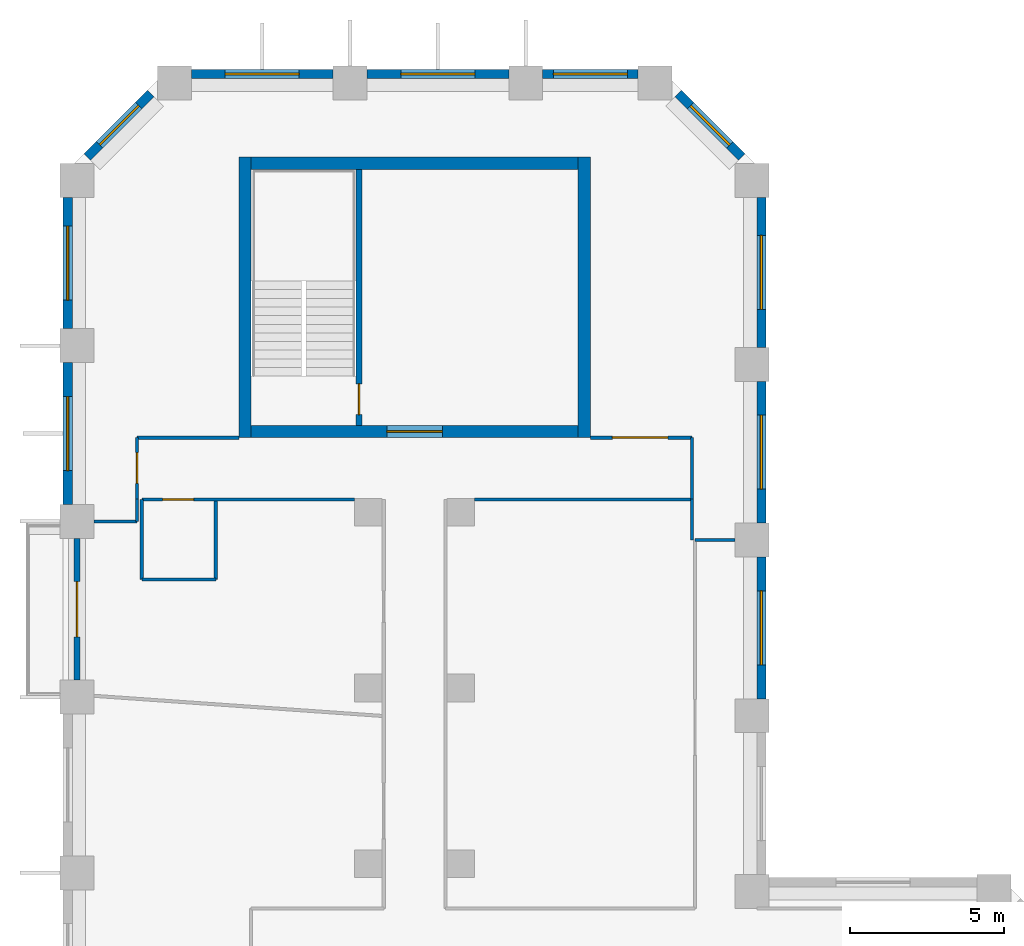
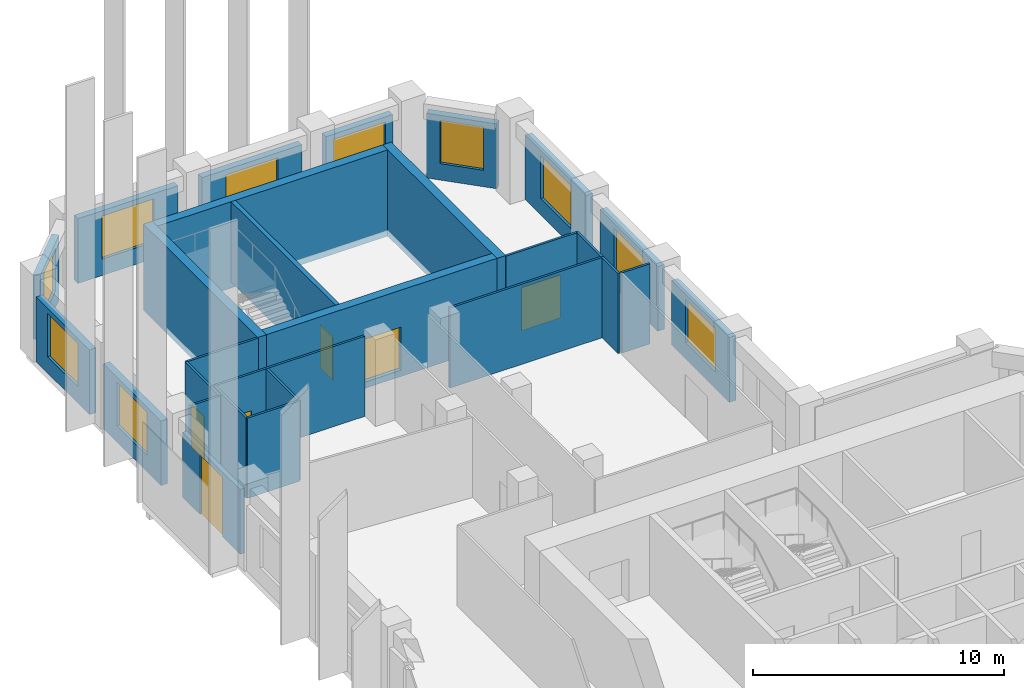
# One storey, part 8 of 10: 29 walls, 10 windows, 6 doors, 16 openings.
"""IFC4 building model written with IfcOpenShell, lengths in metres."""

from ifc_helpers import new_model, si_unit, direction, frame, frame_2d, origin, place, context, subcontext, project, spatial, rectangle, extrude, material, layer, layer_set, type_object, element, fill, save


model = new_model("IFC4")

# Units and contexts
model_context = context("Model", 3, precision=1e-05, world=origin(), true_north=direction((0.0, 1.0)))
body_context = subcontext(model_context, "Body", "Model", "MODEL_VIEW")
ifc_project = project(units=[si_unit("LENGTHUNIT", "METRE"), si_unit("AREAUNIT", "SQUARE_METRE"), si_unit("VOLUMEUNIT", "CUBIC_METRE"), si_unit("PLANEANGLEUNIT", "RADIAN"), si_unit("MASSUNIT", "GRAM", prefix="KILO")], contexts=[model_context])

# Site, building, storey
site_placement = place(None, origin())
site = spatial("IfcSite", under=ifc_project, at=site_placement, CompositionType="ELEMENT")
building_placement = place(site_placement, origin())
building = spatial("IfcBuilding", under=site, at=building_placement, Name="Meshkara Civic Tower", CompositionType="ELEMENT")
storey_placement = place(building_placement, frame((0.0, 0.0, 225.60009765625)))
storey = spatial("IfcBuildingStorey", under=building, at=storey_placement, Name="L51", CompositionType="ELEMENT", Elevation=225.60009765625)

# Wall, opening, door
ifc_material_1 = material(Name="Corridor wall 100")
ifc_layer_1 = layer(ifc_material_1, 0.10009765625)
ifc_layer_set_1 = layer_set([ifc_layer_1], Name="Corridor wall 100")
wall_type_1 = type_object("IfcWallType", Name="Corridor wall 100", PredefinedType="PARTITIONING", material=ifc_layer_set_1)
wall_1_placement = place(storey_placement, frame((2.39990234375, 54.169921875, 0.0), z_axis=(0.0, 0.0, 1.0), x_axis=(0.0, -1.0, 0.0)))
wall_1 = element("IfcWall", 1, at=wall_1_placement, inside=storey, type_object=wall_type_1, Name="L51-W001", PredefinedType="PARTITIONING", context=body_context, shape_type="SweptSolid", body=[
    extrude(rectangle(XDim=2.0, YDim=0.10009765625, at=frame_2d((1.0, 0.0))), origin(), (0.0, 0.0, 1.0), 3.89990234375),
])
opening_1_placement = place(wall_1_placement, frame((0.47998046875, 0.0, 0.0)))
opening_1 = element("IfcOpeningElement", 2, at=opening_1_placement, cuts=wall_1, Name="Opening L51-D016", PredefinedType="OPENING", context=body_context, shape_type="SweptSolid", body=[
    extrude(rectangle(XDim=1.0, YDim=2.10009765625, at=frame_2d((0.5, 1.050048828125))), frame((0.0, 0.06005859375, 0.0), z_axis=(0.0, -1.0, 0.0), x_axis=(1.0, 0.0, 0.0)), (0.0, 0.0, 1.0), 0.1201171875),
])
ifc_material_2 = material(Name="Door 1000 x 2100")
door_type_1 = type_object("IfcDoorType", Name="Door 1000 x 2100", OperationType="SINGLE_SWING_LEFT", PredefinedType="DOOR", material=ifc_material_2)
door_1_placement = place(opening_1_placement, origin())
door_1 = element("IfcDoor", 3, at=door_1_placement, inside=storey, type_object=door_type_1, Name="L51-D016", OperationType="SINGLE_SWING_RIGHT", OverallHeight=2.10009765625, OverallWidth=1.0, PredefinedType="DOOR", context=body_context, shape_type="SweptSolid", body=[
    extrude(rectangle(XDim=1.0, YDim=2.10009765625, at=frame_2d((0.5, 1.050048828125))), frame((0.0, 0.02490234375, 0.0), z_axis=(0.0, -1.0, 0.0), x_axis=(1.0, 0.0, 0.0)), (0.0, 0.0, 1.0), 0.050048828125),
])
fill(opening_1, door_1)

wall_2_placement = place(storey_placement, frame((2.550048828125, 52.169921875, 0.0), z_axis=(0.0, 0.0, 1.0), x_axis=(1.0, 0.0, 0.0)))
wall_2 = element("IfcWall", 4, at=wall_2_placement, inside=storey, type_object=wall_type_1, Name="L51-W002", PredefinedType="PARTITIONING", context=body_context, shape_type="SweptSolid", body=[
    extrude(rectangle(XDim=6.89990234375, YDim=0.10009765625, at=frame_2d((3.449951171875, 0.0))), origin(), (0.0, 0.0, 1.0), 3.89990234375),
])
opening_2_placement = place(wall_2_placement, frame((0.679931640625, 0.0, 0.0)))
opening_2 = element("IfcOpeningElement", 5, at=opening_2_placement, cuts=wall_2, Name="Opening L51-D017", PredefinedType="OPENING", context=body_context, shape_type="SweptSolid", body=[
    extrude(rectangle(XDim=1.0, YDim=2.10009765625, at=frame_2d((0.5, 1.050048828125))), frame((0.0, 0.06005859375, 0.0), z_axis=(0.0, -1.0, 0.0), x_axis=(1.0, 0.0, 0.0)), (0.0, 0.0, 1.0), 0.1201171875),
])
door_2_placement = place(opening_2_placement, origin())
door_2 = element("IfcDoor", 6, at=door_2_placement, inside=storey, type_object=door_type_1, Name="L51-D017", OperationType="SINGLE_SWING_RIGHT", OverallHeight=2.10009765625, OverallWidth=1.0, PredefinedType="DOOR", context=body_context, shape_type="SweptSolid", body=[
    extrude(rectangle(XDim=1.0, YDim=2.10009765625, at=frame_2d((0.5, 1.050048828125))), frame((0.0, 0.02490234375, 0.0), z_axis=(0.0, -1.0, 0.0), x_axis=(1.0, 0.0, 0.0)), (0.0, 0.0, 1.0), 0.050048828125),
])
fill(opening_2, door_2)

# Walls
wall_3_placement = place(storey_placement, frame((5.699951171875, 54.169921875, 0.0), z_axis=(0.0, 0.0, 1.0), x_axis=(-1.0, 0.0, 0.0)))
element("IfcWall", 7, at=wall_3_placement, inside=storey, type_object=wall_type_1, Name="L51-W003", PredefinedType="PARTITIONING", context=body_context, shape_type="SweptSolid", body=[
    extrude(rectangle(XDim=3.300048828125, YDim=0.10009765625, at=frame_2d((1.64990234375, 0.0))), origin(), (0.0, 0.0, 1.0), 3.89990234375),
])
wall_4_placement = place(storey_placement, frame((13.35009765625, 52.169921875, 0.0), z_axis=(0.0, 0.0, 1.0), x_axis=(1.0, 0.0, 0.0)))
element("IfcWall", 8, at=wall_4_placement, inside=storey, type_object=wall_type_1, Name="L51-W015", PredefinedType="PARTITIONING", context=body_context, shape_type="SweptSolid", body=[
    extrude(rectangle(XDim=7.0498046875, YDim=0.10009765625, at=frame_2d((3.52490234375, 0.0))), origin(), (0.0, 0.0, 1.0), 3.89990234375),
])
wall_5_placement = place(storey_placement, frame((20.39990234375, 52.169921875, 0.0), z_axis=(0.0, 0.0, 1.0), x_axis=(0.0, 1.0, 0.0)))
element("IfcWall", 9, at=wall_5_placement, inside=storey, type_object=wall_type_1, Name="L51-W016", PredefinedType="PARTITIONING", context=body_context, shape_type="SweptSolid", body=[
    extrude(rectangle(XDim=2.0, YDim=0.10009765625, at=frame_2d((1.0, 0.0))), origin(), (0.0, 0.0, 1.0), 3.89990234375),
])

# Wall, opening, door
wall_6_placement = place(storey_placement, frame((20.39990234375, 54.169921875, 0.0), z_axis=(0.0, 0.0, 1.0), x_axis=(-1.0, 0.0, 0.0)))
wall_6 = element("IfcWall", 10, at=wall_6_placement, inside=storey, type_object=wall_type_1, Name="L51-W017", PredefinedType="PARTITIONING", context=body_context, shape_type="SweptSolid", body=[
    extrude(rectangle(XDim=3.2998046875, YDim=0.10009765625, at=frame_2d((1.64990234375, 0.0))), origin(), (0.0, 0.0, 1.0), 3.89990234375),
])
opening_3_placement = place(wall_6_placement, frame((0.780029296875, 0.0, 0.0)))
opening_3 = element("IfcOpeningElement", 11, at=opening_3_placement, cuts=wall_6, Name="Opening L51-D019", PredefinedType="OPENING", context=body_context, shape_type="SweptSolid", body=[
    extrude(rectangle(XDim=1.800048828125, YDim=2.10009765625, at=frame_2d((0.89990234375, 1.050048828125))), frame((0.0, 0.06005859375, 0.0), z_axis=(0.0, -1.0, 0.0), x_axis=(1.0, 0.0, 0.0)), (0.0, 0.0, 1.0), 0.1201171875),
])
ifc_material_3 = material(Name="Door pair 1800 x 2100")
door_type_2 = type_object("IfcDoorType", Name="Door pair 1800 x 2100", OperationType="SINGLE_SWING_LEFT", PredefinedType="DOOR", material=ifc_material_3)
door_3_placement = place(opening_3_placement, origin())
door_3 = element("IfcDoor", 12, at=door_3_placement, inside=storey, type_object=door_type_2, Name="L51-D019", OperationType="DOUBLE_DOOR_SINGLE_SWING", OverallHeight=2.10009765625, OverallWidth=1.800048828125, PredefinedType="DOOR", context=body_context, shape_type="SweptSolid", body=[
    extrude(rectangle(XDim=1.800048828125, YDim=2.10009765625, at=frame_2d((0.89990234375, 1.050048828125))), frame((0.0, 0.02490234375, 0.0), z_axis=(0.0, -1.0, 0.0), x_axis=(1.0, 0.0, 0.0)), (0.0, 0.0, 1.0), 0.050048828125),
])
fill(opening_3, door_3)

# Wall
wall_7_placement = place(storey_placement, frame((21.800048828125, 50.85009765625, 0.0), z_axis=(0.0, 0.0, 1.0), x_axis=(-1.0, 0.0, 0.0)))
element("IfcWall", 13, at=wall_7_placement, inside=storey, type_object=wall_type_1, Name="L51-W020", PredefinedType="PARTITIONING", context=body_context, shape_type="SweptSolid", body=[
    extrude(rectangle(XDim=1.300048828125, YDim=0.10009765625, at=frame_2d((0.64990234375, 0.0))), origin(), (0.0, 0.0, 1.0), 3.89990234375),
])

# Wall, opening, window
ifc_material_4 = material(Name="Insulated infill panel with bronze anodised aluminium cladding", Category="aluminium")
ifc_layer_2 = layer(ifc_material_4, 0.300048828125)
ifc_layer_set_2 = layer_set([ifc_layer_2], Name="EXTERNAL INFILL WALL 300")
wall_type_2 = type_object("IfcWallType", Name="EXTERNAL INFILL WALL 300", PredefinedType="SOLIDWALL", material=ifc_layer_set_2)
wall_8_placement = place(storey_placement, frame((22.64990234375, 45.699951171875, 0.0), z_axis=(0.0, 0.0, 1.0), x_axis=(0.0, 1.0, 0.0)))
wall_8 = element("IfcWall", 14, at=wall_8_placement, inside=storey, type_object=wall_type_2, Name="External wall", PredefinedType="SOLIDWALL", context=body_context, shape_type="SweptSolid", body=[
    extrude(rectangle(XDim=4.60009765625, YDim=0.300048828125, at=frame_2d((2.300048828125, 0.0))), origin(), (0.0, 0.0, 1.0), 3.14990234375),
])
opening_4_placement = place(wall_8_placement, frame((1.10009765625, 0.0, 0.800048828125)))
opening_4 = element("IfcOpeningElement", 15, at=opening_4_placement, cuts=wall_8, Name="Opening W7", PredefinedType="OPENING", context=body_context, shape_type="SweptSolid", body=[
    extrude(rectangle(XDim=2.39990234375, YDim=2.10009765625, at=frame_2d((1.199951171875, 1.050048828125))), frame((0.0, 0.159912109375, 0.0), z_axis=(0.0, -1.0, 0.0), x_axis=(1.0, 0.0, 0.0)), (0.0, 0.0, 1.0), 0.320068359375),
])
ifc_material_5 = material(Name="Tinted double glazing", Category="glass")
window_type_1 = type_object("IfcWindowType", Name="WINDOW 2400x2100", PartitioningType="DOUBLE_PANEL_VERTICAL", PredefinedType="WINDOW", material=ifc_material_5)
window_1_placement = place(opening_4_placement, origin())
window_1 = element("IfcWindow", 16, at=window_1_placement, inside=storey, type_object=window_type_1, Name="Window", OverallHeight=2.10009765625, OverallWidth=2.39990234375, PartitioningType="DOUBLE_PANEL_VERTICAL", PredefinedType="WINDOW", context=body_context, shape_type="SweptSolid", body=[
    extrude(rectangle(XDim=2.39990234375, YDim=2.10009765625, at=frame_2d((1.199951171875, 1.050048828125))), frame((0.0, 0.030029296875, 0.0), z_axis=(0.0, -1.0, 0.0), x_axis=(1.0, 0.0, 0.0)), (0.0, 0.0, 1.0), 0.06005859375),
])
fill(opening_4, window_1)

wall_9_placement = place(storey_placement, frame((22.64990234375, 51.39990234375, 0.0), z_axis=(0.0, 0.0, 1.0), x_axis=(0.0, 1.0, 0.0)))
wall_9 = element("IfcWall", 17, at=wall_9_placement, inside=storey, type_object=wall_type_2, Name="External wall", PredefinedType="SOLIDWALL", context=body_context, shape_type="SweptSolid", body=[
    extrude(rectangle(XDim=4.60009765625, YDim=0.300048828125, at=frame_2d((2.300048828125, 0.0))), origin(), (0.0, 0.0, 1.0), 3.14990234375),
])
opening_5_placement = place(wall_9_placement, frame((1.10009765625, 0.0, 0.800048828125)))
opening_5 = element("IfcOpeningElement", 18, at=opening_5_placement, cuts=wall_9, Name="Opening W7", PredefinedType="OPENING", context=body_context, shape_type="SweptSolid", body=[
    extrude(rectangle(XDim=2.39990234375, YDim=2.10009765625, at=frame_2d((1.199951171875, 1.050048828125))), frame((0.0, 0.159912109375, 0.0), z_axis=(0.0, -1.0, 0.0), x_axis=(1.0, 0.0, 0.0)), (0.0, 0.0, 1.0), 0.320068359375),
])
window_2_placement = place(opening_5_placement, origin())
window_2 = element("IfcWindow", 19, at=window_2_placement, inside=storey, type_object=window_type_1, Name="Window", OverallHeight=2.10009765625, OverallWidth=2.39990234375, PartitioningType="DOUBLE_PANEL_VERTICAL", PredefinedType="WINDOW", context=body_context, shape_type="SweptSolid", body=[
    extrude(rectangle(XDim=2.39990234375, YDim=2.10009765625, at=frame_2d((1.199951171875, 1.050048828125))), frame((0.0, 0.030029296875, 0.0), z_axis=(0.0, -1.0, 0.0), x_axis=(1.0, 0.0, 0.0)), (0.0, 0.0, 1.0), 0.06005859375),
])
fill(opening_5, window_2)

wall_10_placement = place(storey_placement, frame((22.64990234375, 57.10009765625, 0.0), z_axis=(0.0, 0.0, 1.0), x_axis=(0.0, 1.0, 0.0)))
wall_10 = element("IfcWall", 20, at=wall_10_placement, inside=storey, type_object=wall_type_2, Name="External wall", PredefinedType="SOLIDWALL", context=body_context, shape_type="SweptSolid", body=[
    extrude(rectangle(XDim=4.864013671875, YDim=0.300048828125, at=frame_2d((2.43212890625, 0.0))), origin(), (0.0, 0.0, 1.0), 3.14990234375),
])
opening_6_placement = place(wall_10_placement, frame((1.23193359375, 0.0, 0.800048828125)))
opening_6 = element("IfcOpeningElement", 21, at=opening_6_placement, cuts=wall_10, Name="Opening W7", PredefinedType="OPENING", context=body_context, shape_type="SweptSolid", body=[
    extrude(rectangle(XDim=2.39990234375, YDim=2.10009765625, at=frame_2d((1.199951171875, 1.050048828125))), frame((0.0, 0.159912109375, 0.0), z_axis=(0.0, -1.0, 0.0), x_axis=(1.0, 0.0, 0.0)), (0.0, 0.0, 1.0), 0.320068359375),
])
window_3_placement = place(opening_6_placement, origin())
window_3 = element("IfcWindow", 22, at=window_3_placement, inside=storey, type_object=window_type_1, Name="Window", OverallHeight=2.10009765625, OverallWidth=2.39990234375, PartitioningType="DOUBLE_PANEL_VERTICAL", PredefinedType="WINDOW", context=body_context, shape_type="SweptSolid", body=[
    extrude(rectangle(XDim=2.39990234375, YDim=2.10009765625, at=frame_2d((1.199951171875, 1.050048828125))), frame((0.0, 0.030029296875, 0.0), z_axis=(0.0, -1.0, 0.0), x_axis=(1.0, 0.0, 0.0)), (0.0, 0.0, 1.0), 0.06005859375),
])
fill(opening_6, window_3)

wall_11_placement = place(storey_placement, frame((22.011962890625, 63.27587890625, 0.0), z_axis=(0.0, 0.0, 1.0), x_axis=(-0.707064797706, 0.707148762175, 0.0)))
wall_11 = element("IfcWall", 23, at=wall_11_placement, inside=storey, type_object=wall_type_2, Name="External wall", PredefinedType="SOLIDWALL", context=body_context, shape_type="SweptSolid", body=[
    extrude(rectangle(XDim=2.90771484375, YDim=0.300048828125, at=frame_2d((1.453857421875, 0.0))), origin(), (0.0, 0.0, 1.0), 3.14990234375),
])
opening_7_placement = place(wall_11_placement, frame((0.553955078125, 0.0, 0.800048828125)))
opening_7 = element("IfcOpeningElement", 24, at=opening_7_placement, cuts=wall_11, Name="Opening W9", PredefinedType="OPENING", context=body_context, shape_type="SweptSolid", body=[
    extrude(rectangle(XDim=1.800048828125, YDim=2.10009765625, at=frame_2d((0.89990234375, 1.050048828125))), frame((0.0, 0.159912109375, 0.0), z_axis=(0.0, -1.0, 0.0), x_axis=(1.0, 0.0, 0.0)), (0.0, 0.0, 1.0), 0.320068359375),
])
ifc_material_6 = material(Name="Tinted double glazing", Category="glass")
window_type_2 = type_object("IfcWindowType", Name="WINDOW 1800x2100", PartitioningType="DOUBLE_PANEL_VERTICAL", PredefinedType="WINDOW", material=ifc_material_6)
window_4_placement = place(opening_7_placement, origin())
window_4 = element("IfcWindow", 25, at=window_4_placement, inside=storey, type_object=window_type_2, Name="Window", OverallHeight=2.10009765625, OverallWidth=1.800048828125, PartitioningType="DOUBLE_PANEL_VERTICAL", PredefinedType="WINDOW", context=body_context, shape_type="SweptSolid", body=[
    extrude(rectangle(XDim=1.800048828125, YDim=2.10009765625, at=frame_2d((0.89990234375, 1.050048828125))), frame((0.0, 0.030029296875, 0.0), z_axis=(0.0, -1.0, 0.0), x_axis=(1.0, 0.0, 0.0)), (0.0, 0.0, 1.0), 0.06005859375),
])
fill(opening_7, window_4)

wall_12_placement = place(storey_placement, frame((18.64404296875, 65.969970703125, 0.0), z_axis=(0.0, 0.0, 1.0), x_axis=(-1.0, 0.0, 0.0)))
wall_12 = element("IfcWall", 26, at=wall_12_placement, inside=storey, type_object=wall_type_2, Name="External wall", PredefinedType="SOLIDWALL", context=body_context, shape_type="SweptSolid", body=[
    extrude(rectangle(XDim=3.088134765625, YDim=0.300048828125, at=frame_2d((1.5439453125, 0.0))), origin(), (0.0, 0.0, 1.0), 3.14990234375),
])
opening_8_placement = place(wall_12_placement, frame((0.343994140625, 0.0, 0.800048828125)))
opening_8 = element("IfcOpeningElement", 27, at=opening_8_placement, cuts=wall_12, Name="Opening W7", PredefinedType="OPENING", context=body_context, shape_type="SweptSolid", body=[
    extrude(rectangle(XDim=2.39990234375, YDim=2.10009765625, at=frame_2d((1.199951171875, 1.050048828125))), frame((0.0, 0.159912109375, 0.0), z_axis=(0.0, -1.0, 0.0), x_axis=(1.0, 0.0, 0.0)), (0.0, 0.0, 1.0), 0.320068359375),
])
window_5_placement = place(opening_8_placement, origin())
window_5 = element("IfcWindow", 28, at=window_5_placement, inside=storey, type_object=window_type_1, Name="Window", OverallHeight=2.10009765625, OverallWidth=2.39990234375, PartitioningType="DOUBLE_PANEL_VERTICAL", PredefinedType="WINDOW", context=body_context, shape_type="SweptSolid", body=[
    extrude(rectangle(XDim=2.39990234375, YDim=2.10009765625, at=frame_2d((1.199951171875, 1.050048828125))), frame((0.0, 0.030029296875, 0.0), z_axis=(0.0, -1.0, 0.0), x_axis=(1.0, 0.0, 0.0)), (0.0, 0.0, 1.0), 0.06005859375),
])
fill(opening_8, window_5)

wall_13_placement = place(storey_placement, frame((14.4560546875, 65.969970703125, 0.0), z_axis=(0.0, 0.0, 1.0), x_axis=(-1.0, 0.0, 0.0)))
wall_13 = element("IfcWall", 29, at=wall_13_placement, inside=storey, type_object=wall_type_2, Name="External wall", PredefinedType="SOLIDWALL", context=body_context, shape_type="SweptSolid", body=[
    extrude(rectangle(XDim=4.60009765625, YDim=0.300048828125, at=frame_2d((2.300048828125, 0.0))), origin(), (0.0, 0.0, 1.0), 3.14990234375),
])
opening_9_placement = place(wall_13_placement, frame((1.10009765625, 0.0, 0.800048828125)))
opening_9 = element("IfcOpeningElement", 30, at=opening_9_placement, cuts=wall_13, Name="Opening W7", PredefinedType="OPENING", context=body_context, shape_type="SweptSolid", body=[
    extrude(rectangle(XDim=2.39990234375, YDim=2.10009765625, at=frame_2d((1.199951171875, 1.050048828125))), frame((0.0, 0.159912109375, 0.0), z_axis=(0.0, -1.0, 0.0), x_axis=(1.0, 0.0, 0.0)), (0.0, 0.0, 1.0), 0.320068359375),
])
window_6_placement = place(opening_9_placement, origin())
window_6 = element("IfcWindow", 31, at=window_6_placement, inside=storey, type_object=window_type_1, Name="Window", OverallHeight=2.10009765625, OverallWidth=2.39990234375, PartitioningType="DOUBLE_PANEL_VERTICAL", PredefinedType="WINDOW", context=body_context, shape_type="SweptSolid", body=[
    extrude(rectangle(XDim=2.39990234375, YDim=2.10009765625, at=frame_2d((1.199951171875, 1.050048828125))), frame((0.0, 0.030029296875, 0.0), z_axis=(0.0, -1.0, 0.0), x_axis=(1.0, 0.0, 0.0)), (0.0, 0.0, 1.0), 0.06005859375),
])
fill(opening_9, window_6)

wall_14_placement = place(storey_placement, frame((8.756103515625, 65.969970703125, 0.0), z_axis=(0.0, 0.0, 1.0), x_axis=(-1.0, 0.0, 0.0)))
wall_14 = element("IfcWall", 32, at=wall_14_placement, inside=storey, type_object=wall_type_2, Name="External wall", PredefinedType="SOLIDWALL", context=body_context, shape_type="SweptSolid", body=[
    extrude(rectangle(XDim=4.60009765625, YDim=0.300048828125, at=frame_2d((2.300048828125, 0.0))), origin(), (0.0, 0.0, 1.0), 3.14990234375),
])
opening_10_placement = place(wall_14_placement, frame((1.10009765625, 0.0, 0.800048828125)))
opening_10 = element("IfcOpeningElement", 33, at=opening_10_placement, cuts=wall_14, Name="Opening W7", PredefinedType="OPENING", context=body_context, shape_type="SweptSolid", body=[
    extrude(rectangle(XDim=2.39990234375, YDim=2.10009765625, at=frame_2d((1.199951171875, 1.050048828125))), frame((0.0, 0.159912109375, 0.0), z_axis=(0.0, -1.0, 0.0), x_axis=(1.0, 0.0, 0.0)), (0.0, 0.0, 1.0), 0.320068359375),
])
window_7_placement = place(opening_10_placement, origin())
window_7 = element("IfcWindow", 34, at=window_7_placement, inside=storey, type_object=window_type_1, Name="Window", OverallHeight=2.10009765625, OverallWidth=2.39990234375, PartitioningType="DOUBLE_PANEL_VERTICAL", PredefinedType="WINDOW", context=body_context, shape_type="SweptSolid", body=[
    extrude(rectangle(XDim=2.39990234375, YDim=2.10009765625, at=frame_2d((1.199951171875, 1.050048828125))), frame((0.0, 0.030029296875, 0.0), z_axis=(0.0, -1.0, 0.0), x_axis=(1.0, 0.0, 0.0)), (0.0, 0.0, 1.0), 0.06005859375),
])
fill(opening_10, window_7)

wall_15_placement = place(storey_placement, frame((2.843994140625, 65.33203125, 0.0), z_axis=(0.0, 0.0, 1.0), x_axis=(-0.707064797706, -0.707148762175, 0.0)))
wall_15 = element("IfcWall", 35, at=wall_15_placement, inside=storey, type_object=wall_type_2, Name="External wall", PredefinedType="SOLIDWALL", context=body_context, shape_type="SweptSolid", body=[
    extrude(rectangle(XDim=2.90771484375, YDim=0.300048828125, at=frame_2d((1.453857421875, 0.0))), origin(), (0.0, 0.0, 1.0), 3.14990234375),
])
opening_11_placement = place(wall_15_placement, frame((0.553955078125, 0.0, 0.800048828125)))
opening_11 = element("IfcOpeningElement", 36, at=opening_11_placement, cuts=wall_15, Name="Opening W9", PredefinedType="OPENING", context=body_context, shape_type="SweptSolid", body=[
    extrude(rectangle(XDim=1.800048828125, YDim=2.10009765625, at=frame_2d((0.89990234375, 1.050048828125))), frame((0.0, 0.159912109375, 0.0), z_axis=(0.0, -1.0, 0.0), x_axis=(1.0, 0.0, 0.0)), (0.0, 0.0, 1.0), 0.320068359375),
])
window_8_placement = place(opening_11_placement, origin())
window_8 = element("IfcWindow", 37, at=window_8_placement, inside=storey, type_object=window_type_2, Name="Window", OverallHeight=2.10009765625, OverallWidth=1.800048828125, PartitioningType="DOUBLE_PANEL_VERTICAL", PredefinedType="WINDOW", context=body_context, shape_type="SweptSolid", body=[
    extrude(rectangle(XDim=1.800048828125, YDim=2.10009765625, at=frame_2d((0.89990234375, 1.050048828125))), frame((0.0, 0.030029296875, 0.0), z_axis=(0.0, -1.0, 0.0), x_axis=(1.0, 0.0, 0.0)), (0.0, 0.0, 1.0), 0.06005859375),
])
fill(opening_11, window_8)

wall_16_placement = place(storey_placement, frame((0.14990234375, 61.964111328125, 0.0), z_axis=(0.0, 0.0, 1.0), x_axis=(0.0, -1.0, 0.0)))
wall_16 = element("IfcWall", 38, at=wall_16_placement, inside=storey, type_object=wall_type_2, Name="External wall", PredefinedType="SOLIDWALL", context=body_context, shape_type="SweptSolid", body=[
    extrude(rectangle(XDim=4.259033203125, YDim=0.300048828125, at=frame_2d((2.12939453125, 0.0))), origin(), (0.0, 0.0, 1.0), 3.14990234375),
])
opening_12_placement = place(wall_16_placement, frame((0.929931640625, 0.0, 0.800048828125)))
opening_12 = element("IfcOpeningElement", 39, at=opening_12_placement, cuts=wall_16, Name="Opening W7", PredefinedType="OPENING", context=body_context, shape_type="SweptSolid", body=[
    extrude(rectangle(XDim=2.39990234375, YDim=2.10009765625, at=frame_2d((1.199951171875, 1.050048828125))), frame((0.0, 0.159912109375, 0.0), z_axis=(0.0, -1.0, 0.0), x_axis=(1.0, 0.0, 0.0)), (0.0, 0.0, 1.0), 0.320068359375),
])
window_9_placement = place(opening_12_placement, origin())
window_9 = element("IfcWindow", 40, at=window_9_placement, inside=storey, type_object=window_type_1, Name="Window", OverallHeight=2.10009765625, OverallWidth=2.39990234375, PartitioningType="DOUBLE_PANEL_VERTICAL", PredefinedType="WINDOW", context=body_context, shape_type="SweptSolid", body=[
    extrude(rectangle(XDim=2.39990234375, YDim=2.10009765625, at=frame_2d((1.199951171875, 1.050048828125))), frame((0.0, 0.030029296875, 0.0), z_axis=(0.0, -1.0, 0.0), x_axis=(1.0, 0.0, 0.0)), (0.0, 0.0, 1.0), 0.06005859375),
])
fill(opening_12, window_9)

wall_17_placement = place(storey_placement, frame((0.14990234375, 56.60498046875, 0.0), z_axis=(0.0, 0.0, 1.0), x_axis=(0.0, -1.0, 0.0)))
wall_17 = element("IfcWall", 41, at=wall_17_placement, inside=storey, type_object=wall_type_2, Name="External wall", PredefinedType="SOLIDWALL", context=body_context, shape_type="SweptSolid", body=[
    extrude(rectangle(XDim=4.60009765625, YDim=0.300048828125, at=frame_2d((2.300048828125, 0.0))), origin(), (0.0, 0.0, 1.0), 3.14990234375),
])
opening_13_placement = place(wall_17_placement, frame((1.10009765625, 0.0, 0.800048828125)))
opening_13 = element("IfcOpeningElement", 42, at=opening_13_placement, cuts=wall_17, Name="Opening W7", PredefinedType="OPENING", context=body_context, shape_type="SweptSolid", body=[
    extrude(rectangle(XDim=2.39990234375, YDim=2.10009765625, at=frame_2d((1.199951171875, 1.050048828125))), frame((0.0, 0.159912109375, 0.0), z_axis=(0.0, -1.0, 0.0), x_axis=(1.0, 0.0, 0.0)), (0.0, 0.0, 1.0), 0.320068359375),
])
window_10_placement = place(opening_13_placement, origin())
window_10 = element("IfcWindow", 43, at=window_10_placement, inside=storey, type_object=window_type_1, Name="Window", OverallHeight=2.10009765625, OverallWidth=2.39990234375, PartitioningType="DOUBLE_PANEL_VERTICAL", PredefinedType="WINDOW", context=body_context, shape_type="SweptSolid", body=[
    extrude(rectangle(XDim=2.39990234375, YDim=2.10009765625, at=frame_2d((1.199951171875, 1.050048828125))), frame((0.0, 0.030029296875, 0.0), z_axis=(0.0, -1.0, 0.0), x_axis=(1.0, 0.0, 0.0)), (0.0, 0.0, 1.0), 0.06005859375),
])
fill(opening_13, window_10)

# Walls
ifc_material_7 = material(Name="Concrete C60", Category="concrete")
ifc_layer_3 = layer(ifc_material_7, 0.39990234375)
ifc_layer_set_3 = layer_set([ifc_layer_3], Name="End core ring wall 400 C60")
wall_type_3 = type_object("IfcWallType", Name="End core ring wall 400 C60", PredefinedType="SHEAR", material=ifc_layer_set_3)
for number, where, z_axis, x_axis, name in (
    (44, (5.89990234375, 54.169921875, -0.300048828125), (0.0, 0.0, 1.0), (0.0, 1.0, 0.0), "L51-C023"),
    (45, (16.89990234375, 54.169921875, -0.300048828125), (0.0, 0.0, 1.0), (0.0, 1.0, 0.0), "L51-C024"),
):
    element("IfcWall", number, at=place(storey_placement, frame(where, z_axis=z_axis, x_axis=x_axis)), inside=storey, type_object=wall_type_3, Name=name, PredefinedType="SHEAR", context=body_context, shape_type="SweptSolid", body=[
        extrude(rectangle(XDim=9.10009765625, YDim=0.39990234375, at=frame_2d((4.550048828125, 0.0))), origin(), (0.0, 0.0, 1.0), 4.199951171875),
    ])

# Wall, opening, door
wall_18_placement = place(storey_placement, frame((6.10009765625, 54.3701171875, -0.300048828125), z_axis=(0.0, 0.0, 1.0), x_axis=(1.0, 0.0, 0.0)))
wall_18 = element("IfcWall", 46, at=wall_18_placement, inside=storey, type_object=wall_type_3, Name="L51-C025", PredefinedType="SHEAR", context=body_context, shape_type="SweptSolid", body=[
    extrude(rectangle(XDim=10.599853515625, YDim=0.39990234375, at=frame_2d((5.2998046875, 0.0))), origin(), (0.0, 0.0, 1.0), 4.199951171875),
])
opening_14_placement = place(wall_18_placement, frame((4.39990234375, 0.0, 0.300048828125)))
opening_14 = element("IfcOpeningElement", 47, at=opening_14_placement, cuts=wall_18, Name="Opening L51-K102", PredefinedType="OPENING", context=body_context, shape_type="SweptSolid", body=[
    extrude(rectangle(XDim=1.800048828125, YDim=2.10009765625, at=frame_2d((0.89990234375, 1.050048828125))), frame((0.0, 0.2099609375, 0.0), z_axis=(0.0, -1.0, 0.0), x_axis=(1.0, 0.0, 0.0)), (0.0, 0.0, 1.0), 0.419921875),
])
ifc_material_8 = material(Name="Fire-rated door leaf in steel frame", Category="steel")
door_type_3 = type_object("IfcDoorType", Name="Core double door 1800 EI 60", OperationType="DOUBLE_DOOR_SINGLE_SWING", PredefinedType="DOOR", material=ifc_material_8)
door_4_placement = place(opening_14_placement, origin())
door_4 = element("IfcDoor", 48, at=door_4_placement, inside=storey, type_object=door_type_3, Name="L51-K102", OperationType="DOUBLE_DOOR_SINGLE_SWING", OverallHeight=2.10009765625, OverallWidth=1.800048828125, PredefinedType="DOOR", context=body_context, shape_type="SweptSolid", body=[
    extrude(rectangle(XDim=1.800048828125, YDim=2.10009765625, at=frame_2d((0.89990234375, 1.050048828125))), frame((0.0, 0.02490234375, 0.0), z_axis=(0.0, -1.0, 0.0), x_axis=(1.0, 0.0, 0.0)), (0.0, 0.0, 1.0), 0.050048828125),
])
fill(opening_14, door_4)

# Wall
wall_19_placement = place(storey_placement, frame((6.10009765625, 63.070068359375, -0.300048828125), z_axis=(0.0, 0.0, 1.0), x_axis=(1.0, 0.0, 0.0)))
element("IfcWall", 49, at=wall_19_placement, inside=storey, type_object=wall_type_3, Name="L51-C026", PredefinedType="SHEAR", context=body_context, shape_type="SweptSolid", body=[
    extrude(rectangle(XDim=10.599853515625, YDim=0.39990234375, at=frame_2d((5.2998046875, 0.0))), origin(), (0.0, 0.0, 1.0), 4.199951171875),
])

# Wall, opening, door
ifc_material_9 = material(Name="Insulated infill panel with bronze anodised aluminium cladding", Category="aluminium")
ifc_layer_4 = layer(ifc_material_9, 0.199951171875)
ifc_layer_set_4 = layer_set([ifc_layer_4], Name="LOGGIA BACK WALL 200")
wall_type_4 = type_object("IfcWallType", Name="LOGGIA BACK WALL 200", PredefinedType="SOLIDWALL", material=ifc_layer_set_4)
wall_20_placement = place(storey_placement, frame((0.449951171875, 50.904052734375, 0.0), z_axis=(0.0, 0.0, 1.0), x_axis=(0.0, -1.0, 0.0)))
wall_20 = element("IfcWall", 50, at=wall_20_placement, inside=storey, type_object=wall_type_4, Name="Loggia wall", PredefinedType="SOLIDWALL", context=body_context, shape_type="SweptSolid", body=[
    extrude(rectangle(XDim=4.59912109375, YDim=0.199951171875, at=frame_2d((2.299560546875, 0.0))), origin(), (0.0, 0.0, 1.0), 3.14990234375),
])
opening_15_placement = place(wall_20_placement, frame((1.39892578125, 0.0, 0.0)))
opening_15 = element("IfcOpeningElement", 51, at=opening_15_placement, cuts=wall_20, Name="Opening L51-L001", PredefinedType="OPENING", context=body_context, shape_type="SweptSolid", body=[
    extrude(rectangle(XDim=1.800048828125, YDim=2.89990234375, at=frame_2d((0.89990234375, 1.449951171875))), frame((0.0, 0.10986328125, 0.0), z_axis=(0.0, -1.0, 0.0), x_axis=(1.0, 0.0, 0.0)), (0.0, 0.0, 1.0), 0.219970703125),
])
ifc_material_10 = material(Name="Tinted double glazing", Category="glass")
door_type_4 = type_object("IfcDoorType", Name="LOGGIA DOOR 1800x2900", OperationType="DOUBLE_DOOR_SINGLE_SWING", PredefinedType="DOOR", material=ifc_material_10)
door_5_placement = place(opening_15_placement, origin())
door_5 = element("IfcDoor", 52, at=door_5_placement, inside=storey, type_object=door_type_4, Name="L51-L001", OperationType="DOUBLE_DOOR_SINGLE_SWING", OverallHeight=2.89990234375, OverallWidth=1.800048828125, PredefinedType="DOOR", context=body_context, shape_type="SweptSolid", body=[
    extrude(rectangle(XDim=1.800048828125, YDim=2.89990234375, at=frame_2d((0.89990234375, 1.449951171875))), frame((0.0, 0.02490234375, 0.0), z_axis=(0.0, -1.0, 0.0), x_axis=(1.0, 0.0, 0.0)), (0.0, 0.0, 1.0), 0.050048828125),
])
fill(opening_15, door_5)

# Walls
ifc_material_11 = material(Name="Partition 100")
ifc_layer_5 = layer(ifc_material_11, 0.10009765625)
ifc_layer_set_5 = layer_set([ifc_layer_5], Name="Partition 100")
wall_type_5 = type_object("IfcWallType", Name="Partition 100", PredefinedType="PARTITIONING", material=ifc_layer_set_5)
wall_21_placement = place(storey_placement, frame((2.39990234375, 51.455078125, 0.0), z_axis=(0.0, 0.0, 1.0), x_axis=(-1.0, 0.0, 0.0)))
element("IfcWall", 53, at=wall_21_placement, inside=storey, type_object=wall_type_5, Name="L51-W039", PredefinedType="PARTITIONING", context=body_context, shape_type="SweptSolid", body=[
    extrude(rectangle(XDim=1.39990234375, YDim=0.10009765625, at=frame_2d((0.699951171875, 0.0))), origin(), (0.0, 0.0, 1.0), 3.89990234375),
])
wall_22_placement = place(storey_placement, frame((2.39990234375, 52.174072265625, 0.0), z_axis=(0.0, 0.0, 1.0), x_axis=(0.0, -1.0, 0.0)))
element("IfcWall", 54, at=wall_22_placement, inside=storey, type_object=wall_type_5, Name="L51-W040", PredefinedType="PARTITIONING", context=body_context, shape_type="SweptSolid", body=[
    extrude(rectangle(XDim=0.718994140625, YDim=0.10009765625, at=frame_2d((0.359375, 0.0))), origin(), (0.0, 0.0, 1.0), 3.89990234375),
])
wall_23_placement = place(storey_placement, frame((2.550048828125, 49.570068359375, 0.0), z_axis=(0.0, 0.0, 1.0), x_axis=(0.0, 1.0, 0.0)))
element("IfcWall", 55, at=wall_23_placement, inside=storey, type_object=wall_type_5, Name="L51-W041", PredefinedType="PARTITIONING", context=body_context, shape_type="SweptSolid", body=[
    extrude(rectangle(XDim=2.599853515625, YDim=0.10009765625, at=frame_2d((1.2998046875, 0.0))), origin(), (0.0, 0.0, 1.0), 3.89990234375),
])
wall_24_placement = place(storey_placement, frame((4.949951171875, 49.570068359375, 0.0), z_axis=(0.0, 0.0, 1.0), x_axis=(-1.0, 0.0, 0.0)))
element("IfcWall", 56, at=wall_24_placement, inside=storey, type_object=wall_type_5, Name="L51-W042", PredefinedType="PARTITIONING", context=body_context, shape_type="SweptSolid", body=[
    extrude(rectangle(XDim=2.39990234375, YDim=0.10009765625, at=frame_2d((1.199951171875, 0.0))), origin(), (0.0, 0.0, 1.0), 3.89990234375),
])
wall_25_placement = place(storey_placement, frame((4.949951171875, 52.1201171875, 0.0), z_axis=(0.0, 0.0, 1.0), x_axis=(0.0, -1.0, 0.0)))
element("IfcWall", 57, at=wall_25_placement, inside=storey, type_object=wall_type_5, Name="L51-W043", PredefinedType="PARTITIONING", context=body_context, shape_type="SweptSolid", body=[
    extrude(rectangle(XDim=2.550048828125, YDim=0.10009765625, at=frame_2d((1.27490234375, 0.0))), origin(), (0.0, 0.0, 1.0), 3.89990234375),
])
wall_26_placement = place(storey_placement, frame((20.39990234375, 50.85009765625, 0.0), z_axis=(0.0, 0.0, 1.0), x_axis=(0.0, 1.0, 0.0)))
element("IfcWall", 58, at=wall_26_placement, inside=storey, type_object=wall_type_5, Name="L51-W048", PredefinedType="PARTITIONING", context=body_context, shape_type="SweptSolid", body=[
    extrude(rectangle(XDim=1.323974609375, YDim=0.10009765625, at=frame_2d((0.662109375, 0.0))), origin(), (0.0, 0.0, 1.0), 3.89990234375),
])

# Wall, opening, door
ifc_material_12 = material(Name="Concrete C40/50", Category="concrete")
ifc_layer_6 = layer(ifc_material_12, 0.199951171875)
ifc_layer_set_6 = layer_set([ifc_layer_6], Name="Stair enclosure wall 200 C40/50")
wall_type_6 = type_object("IfcWallType", Name="Stair enclosure wall 200 C40/50", PredefinedType="SOLIDWALL", material=ifc_layer_set_6)
wall_27_placement = place(storey_placement, frame((9.60009765625, 54.570068359375, 0.0), z_axis=(0.0, 0.0, 1.0), x_axis=(0.0, 1.0, 0.0)))
wall_27 = element("IfcWall", 59, at=wall_27_placement, inside=storey, type_object=wall_type_6, Name="L51-C027", PredefinedType="SOLIDWALL", context=body_context, shape_type="SweptSolid", body=[
    extrude(rectangle(XDim=8.300048828125, YDim=0.199951171875, at=frame_2d((4.14990234375, 0.0))), origin(), (0.0, 0.0, 1.0), 3.89990234375),
])
opening_16_placement = place(wall_27_placement, frame((0.35009765625, 0.0, 0.0)))
opening_16 = element("IfcOpeningElement", 60, at=opening_16_placement, cuts=wall_27, Name="Opening L51-K101", PredefinedType="OPENING", context=body_context, shape_type="SweptSolid", body=[
    extrude(rectangle(XDim=1.0, YDim=2.10009765625, at=frame_2d((0.5, 1.050048828125))), frame((0.0, 0.10986328125, 0.0), z_axis=(0.0, -1.0, 0.0), x_axis=(1.0, 0.0, 0.0)), (0.0, 0.0, 1.0), 0.219970703125),
])
ifc_material_13 = material(Name="Fire-rated door leaf in steel frame", Category="steel")
door_type_5 = type_object("IfcDoorType", Name="Stair door 1000 EI 120", OperationType="SINGLE_SWING_LEFT", PredefinedType="DOOR", material=ifc_material_13)
door_6_placement = place(opening_16_placement, origin())
door_6 = element("IfcDoor", 61, at=door_6_placement, inside=storey, type_object=door_type_5, Name="L51-K101", OperationType="SINGLE_SWING_RIGHT", OverallHeight=2.10009765625, OverallWidth=1.0, PredefinedType="DOOR", context=body_context, shape_type="SweptSolid", body=[
    extrude(rectangle(XDim=1.0, YDim=2.10009765625, at=frame_2d((0.5, 1.050048828125))), frame((0.0, 0.02490234375, 0.0), z_axis=(0.0, -1.0, 0.0), x_axis=(1.0, 0.0, 0.0)), (0.0, 0.0, 1.0), 0.050048828125),
])
fill(opening_16, door_6)

save(model, "model.ifc")
